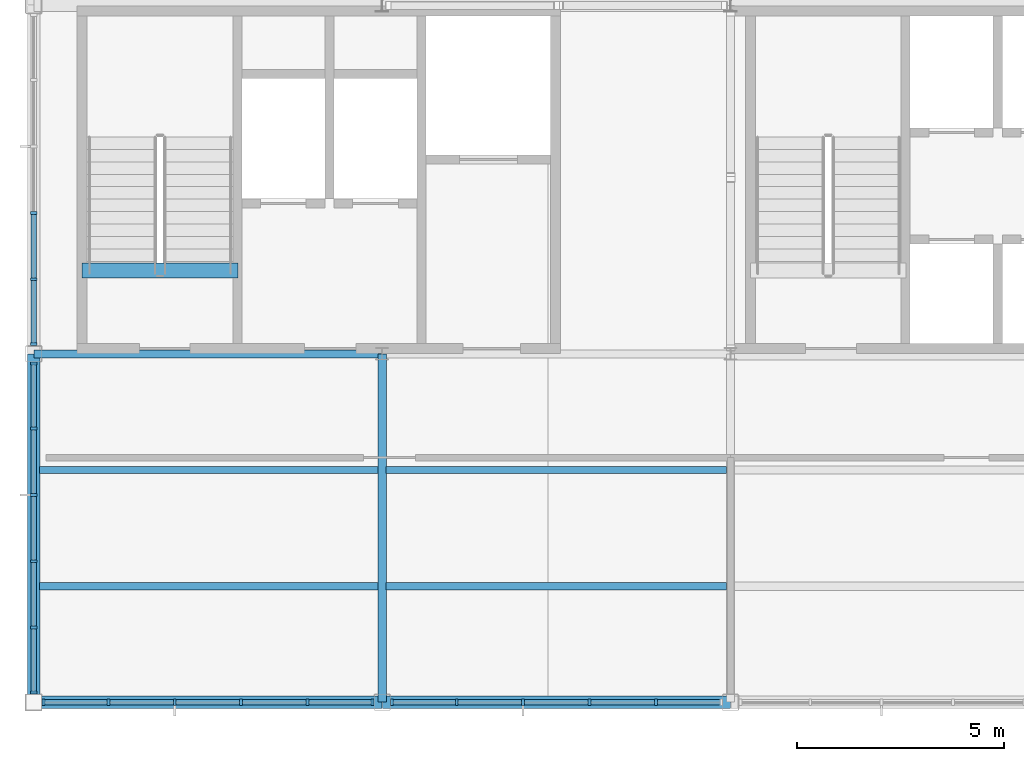
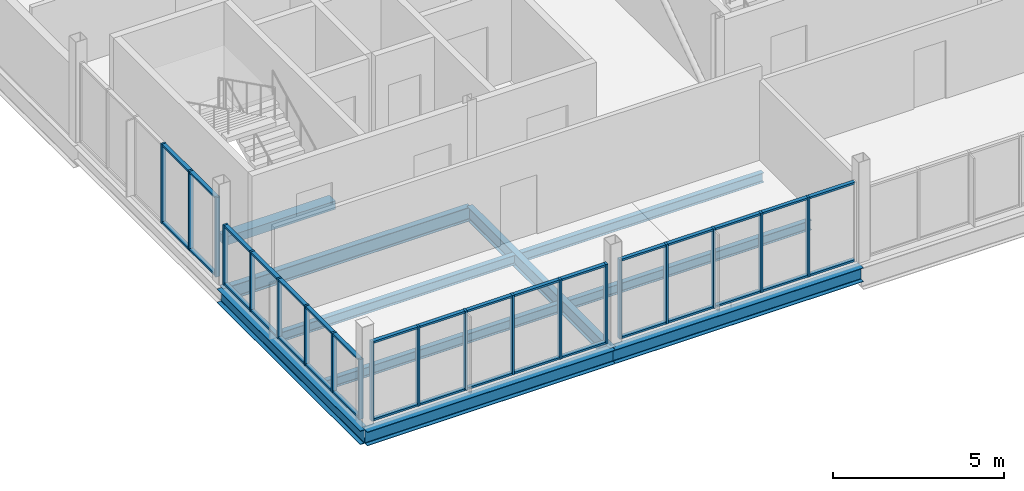
# One storey, part 4 of 15: 54 members, 10 beams, 4 elements without a shape of their own.
"""IFC4 building model written with IfcOpenShell, lengths in metres."""

from ifc_helpers import new_model, si_unit, direction, frame, origin, origin_2d, place, context, subcontext, project, spatial, rectangle, i_section, extrude, material, layer, layer_set, material_profile, profile_set, type_object, element, aggregate, save


model = new_model("IFC4")

# Units and contexts
model_context = context("Model", 3, precision=1e-05, world=origin(), true_north=direction((0.0, 1.0)))
body_context = subcontext(model_context, "Body", "Model", "MODEL_VIEW")
ifc_project = project(units=[si_unit("LENGTHUNIT", "METRE"), si_unit("AREAUNIT", "SQUARE_METRE"), si_unit("VOLUMEUNIT", "CUBIC_METRE"), si_unit("PLANEANGLEUNIT", "RADIAN"), si_unit("MASSUNIT", "GRAM", prefix="KILO")], contexts=[model_context])

# Site, building, storey
site_placement = place(None, origin())
site = spatial("IfcSite", under=ifc_project, at=site_placement, CompositionType="ELEMENT")
building_placement = place(site_placement, origin())
building = spatial("IfcBuilding", under=site, at=building_placement, Name="Yukiwa Park Conservatory and Herbarium", CompositionType="ELEMENT")
storey_placement = place(building_placement, frame((0.0, 0.0, 54.0)))
storey = spatial("IfcBuildingStorey", under=building, at=storey_placement, Name="L14", CompositionType="ELEMENT", Elevation=54.0)

# Beams
ifc_material_1 = material(Name="Steel Q355D", Category="steel")
ifc_material_profile_1 = material_profile(ifc_material_1, i_section(OverallWidth=0.198974609375, OverallDepth=0.49609375, WebThickness=0.009033203125, FlangeThickness=0.013916015625, FilletRadius=0.02001953125, at=origin_2d()), Name="HN 496x199x9x14")
ifc_profile_set_1 = profile_set([ifc_material_profile_1], Name="Steel Q355D")
beam_type_1 = type_object("IfcBeamType", Name="BM-GRD-HN496", PredefinedType="BEAM", material=ifc_profile_set_1)
beam_1_placement = place(storey_placement, frame((133.2060546875, 94.800048828125, -0.501953125), z_axis=(1.0, 0.0, 0.0), x_axis=(0.0, 1.0, 0.0)))
element("IfcBeam", 1, at=beam_1_placement, inside=storey, type_object=beam_type_1, Name="L14 grid beam X-5", PredefinedType="BEAM", context=body_context, shape_type="SweptSolid", body=[
    extrude(i_section(OverallWidth=0.198974609375, OverallDepth=0.49609375, WebThickness=0.009033203125, FlangeThickness=0.013916015625, FilletRadius=0.02001953125, at=origin_2d()), origin(), (0.0, 0.0, 1.0), 8.387939453125),
])
ifc_material_2 = material(Name="Steel Q355D", Category="steel")
ifc_material_profile_2 = material_profile(ifc_material_2, i_section(OverallWidth=0.199951171875, OverallDepth=0.5, WebThickness=0.010009765625, FlangeThickness=0.01611328125, FilletRadius=0.02001953125, at=origin_2d()), Name="HN 500x200x10x16")
ifc_profile_set_2 = profile_set([ifc_material_profile_2], Name="Steel Q355D")
beam_type_2 = type_object("IfcBeamType", Name="BM-GRD-HN500", PredefinedType="BEAM", material=ifc_profile_set_2)
beam_2_placement = place(storey_placement, frame((141.60009765625, 86.406005859375, -0.50390625), z_axis=(0.0, 1.0, 0.0), x_axis=(-1.0, 0.0, 0.0)))
element("IfcBeam", 2, at=beam_2_placement, inside=storey, type_object=beam_type_2, Name="L14 grid girder Y-20", PredefinedType="BEAM", context=body_context, shape_type="SweptSolid", body=[
    extrude(i_section(OverallWidth=0.199951171875, OverallDepth=0.5, WebThickness=0.010009765625, FlangeThickness=0.01611328125, FilletRadius=0.02001953125, at=origin_2d()), origin(), (0.0, 0.0, 1.0), 8.387939453125),
])
ifc_material_3 = material(Name="Steel Q355D", Category="steel")
ifc_material_profile_3 = material_profile(ifc_material_3, i_section(OverallWidth=0.174072265625, OverallDepth=0.345947265625, WebThickness=0.006103515625, FlangeThickness=0.009033203125, FilletRadius=0.013916015625, at=origin_2d()), Name="HN 346x174x6x9")
ifc_profile_set_3 = profile_set([ifc_material_profile_3], Name="Steel Q355D")
beam_type_3 = type_object("IfcBeamType", Name="BM-JST-HN346", PredefinedType="JOIST", material=ifc_profile_set_3)
for number, where, z_axis, x_axis, name in (
    (3, (133.345947265625, 89.199951171875, -0.427001953125), (1.0, 0.0, 0.0), (0.0, 1.0, 0.0), "L14 composite floor joist 1"),
    (4, (133.345947265625, 92.0, -0.427001953125), (1.0, 0.0, 0.0), (0.0, 1.0, 0.0), "L14 composite floor joist 2"),
):
    element("IfcBeam", number, at=place(storey_placement, frame(where, z_axis=z_axis, x_axis=x_axis)), inside=storey, type_object=beam_type_3, Name=name, PredefinedType="JOIST", context=body_context, shape_type="SweptSolid", body=[
        extrude(i_section(OverallWidth=0.174072265625, OverallDepth=0.345947265625, WebThickness=0.006103515625, FlangeThickness=0.009033203125, FilletRadius=0.013916015625, at=origin_2d()), origin(), (0.0, 0.0, 1.0), 8.157958984375),
    ])
for number, where, z_axis, x_axis, name in (
    (5, (141.696044921875, 89.199951171875, -0.427001953125), (1.0, 0.0, 0.0), (0.0, 1.0, 0.0), "L14 composite floor joist 5"),
    (6, (141.696044921875, 92.0, -0.427001953125), (1.0, 0.0, 0.0), (0.0, 1.0, 0.0), "L14 composite floor joist 6"),
):
    element("IfcBeam", number, at=place(storey_placement, frame(where, z_axis=z_axis, x_axis=x_axis)), inside=storey, type_object=beam_type_3, Name=name, PredefinedType="JOIST", context=body_context, shape_type="SweptSolid", body=[
        extrude(i_section(OverallWidth=0.174072265625, OverallDepth=0.345947265625, WebThickness=0.006103515625, FlangeThickness=0.009033203125, FilletRadius=0.013916015625, at=origin_2d()), origin(), (0.0, 0.0, 1.0), 8.2080078125),
    ])
ifc_material_4 = material(Name="Steel Q355D", Category="steel")
ifc_material_profile_4 = material_profile(ifc_material_4, i_section(OverallWidth=0.300048828125, OverallDepth=0.5, WebThickness=0.010986328125, FlangeThickness=0.01806640625, FilletRadius=0.02392578125, at=origin_2d()), Name="HM 500x300x11x18")
ifc_profile_set_4 = profile_set([ifc_material_profile_4], Name="Steel Q355D")
beam_type_4 = type_object("IfcBeamType", Name="BM-SPN-HN500", PredefinedType="SPANDREL", material=ifc_profile_set_4)
for number, where, z_axis, x_axis, name in (
    (7, (133.2060546875, 86.39990234375, -0.50390625), (1.0, 0.0, 0.0), (0.0, 1.0, 0.0), "L14 spandrel beam X-1"),
    (8, (141.60595703125, 86.39990234375, -0.50390625), (1.0, 0.0, 0.0), (0.0, 1.0, 0.0), "L14 spandrel beam X-2"),
    (9, (133.199951171875, 86.406005859375, -0.50390625), (0.0, 1.0, 0.0), (-1.0, 0.0, 0.0), "L14 spandrel girder Y-17"),
):
    element("IfcBeam", number, at=place(storey_placement, frame(where, z_axis=z_axis, x_axis=x_axis)), inside=storey, type_object=beam_type_4, Name=name, PredefinedType="SPANDREL", context=body_context, shape_type="SweptSolid", body=[
        extrude(i_section(OverallWidth=0.300048828125, OverallDepth=0.5, WebThickness=0.010986328125, FlangeThickness=0.01806640625, FilletRadius=0.02392578125, at=origin_2d()), origin(), (0.0, 0.0, 1.0), 8.387939453125),
    ])
ifc_material_5 = material(Name="Concrete C40", Category="concrete")
ifc_material_profile_5 = material_profile(ifc_material_5, rectangle(XDim=0.35009765625, YDim=0.300048828125, at=origin_2d()), Name="RC 350x300")
ifc_profile_set_5 = profile_set([ifc_material_profile_5], Name="Concrete C40")
beam_type_5 = type_object("IfcBeamType", Name="BM-STAIR-TRIM", PredefinedType="BEAM", material=ifc_profile_set_5)
beam_3_placement = place(storey_placement, frame((134.3701171875, 96.81005859375, -0.14990234375), z_axis=(1.0, 0.0, 0.0), x_axis=(0.0, 1.0, 0.0)))
element("IfcBeam", 10, at=beam_3_placement, inside=storey, type_object=beam_type_5, Name="Stair ST-T1 L14 landing trimmer beam", PredefinedType="BEAM", context=body_context, shape_type="SweptSolid", body=[
    extrude(rectangle(XDim=0.35009765625, YDim=0.300048828125, at=origin_2d()), origin(), (0.0, 0.0, 1.0), 3.75),
])

# Curtain wall, members
ifc_material_6 = material(Name="Triple Low-E Insulated Glass", Category="glass")
ifc_layer = layer(ifc_material_6, 0.27197265625)
ifc_layer_set = layer_set([ifc_layer], Name="Triple Low-E Insulated Glass")
curtain_wall_type = type_object("IfcCurtainWallType", Name="CW-TOWER-LIB-1600", PredefinedType="NOTDEFINED", material=ifc_layer_set)
curtain_wall_1_placement = place(storey_placement, origin())
curtain_wall_1 = element("IfcCurtainWall", 11, at=curtain_wall_1_placement, inside=storey, type_object=curtain_wall_type, Name="L14 unitised curtain wall CW-L14-135", PredefinedType="NOTDEFINED")
ifc_material_7 = material(Name="Anodised Aluminium", Category="aluminium")
member_type_1 = type_object("IfcMemberType", Name="MB-CW-MUL-70X150", PredefinedType="MULLION", material=ifc_material_7)
member_1_placement = place(storey_placement, frame((133.199951171875, 98.199951171875, 0.0), z_axis=(0.0, 0.0, 1.0), x_axis=(0.0, -1.0, 0.0)))
member_1 = element("IfcMember", 12, at=member_1_placement, type_object=member_type_1, Name="CW-L14-135 mullion 4", PredefinedType="MULLION", context=body_context, shape_type="SweptSolid", body=[
    extrude(rectangle(XDim=0.070068359375, YDim=0.14990234375, at=origin_2d()), origin(), (0.0, 0.0, 1.0), 2.843994140625),
])
member_2_placement = place(storey_placement, frame((133.199951171875, 96.60009765625, 0.0), z_axis=(0.0, 0.0, 1.0), x_axis=(0.0, -1.0, 0.0)))
member_2 = element("IfcMember", 13, at=member_2_placement, type_object=member_type_1, Name="CW-L14-135 mullion 5", PredefinedType="MULLION", context=body_context, shape_type="SweptSolid", body=[
    extrude(rectangle(XDim=0.070068359375, YDim=0.14990234375, at=origin_2d()), origin(), (0.0, 0.0, 1.0), 2.843994140625),
])
member_3_placement = place(storey_placement, frame((133.199951171875, 95.034912109375, 0.0), z_axis=(0.0, 0.0, 1.0), x_axis=(0.0, -1.0, 0.0)))
member_3 = element("IfcMember", 14, at=member_3_placement, type_object=member_type_1, Name="CW-L14-135 mullion 6", PredefinedType="MULLION", context=body_context, shape_type="SweptSolid", body=[
    extrude(rectangle(XDim=0.070068359375, YDim=0.14990234375, at=origin_2d()), origin(), (0.0, 0.0, 1.0), 2.843994140625),
])

curtain_wall_2_placement = place(storey_placement, origin())
curtain_wall_2 = element("IfcCurtainWall", 15, at=curtain_wall_2_placement, inside=storey, type_object=curtain_wall_type, Name="L14 unitised curtain wall CW-L14-136", PredefinedType="NOTDEFINED")
member_4_placement = place(storey_placement, frame((133.199951171875, 94.56494140625, 0.0), z_axis=(0.0, 0.0, 1.0), x_axis=(0.0, -1.0, 0.0)))
member_4 = element("IfcMember", 16, at=member_4_placement, type_object=member_type_1, Name="CW-L14-136 mullion 1", PredefinedType="MULLION", context=body_context, shape_type="SweptSolid", body=[
    extrude(rectangle(XDim=0.070068359375, YDim=0.14990234375, at=origin_2d()), origin(), (0.0, 0.0, 1.0), 2.14404296875),
])
member_5_placement = place(storey_placement, frame((133.199951171875, 93.0, 0.0), z_axis=(0.0, 0.0, 1.0), x_axis=(0.0, -1.0, 0.0)))
member_5 = element("IfcMember", 17, at=member_5_placement, type_object=member_type_1, Name="CW-L14-136 mullion 2", PredefinedType="MULLION", context=body_context, shape_type="SweptSolid", body=[
    extrude(rectangle(XDim=0.070068359375, YDim=0.14990234375, at=origin_2d()), origin(), (0.0, 0.0, 1.0), 2.14404296875),
])
member_6_placement = place(storey_placement, frame((133.199951171875, 91.39990234375, 0.0), z_axis=(0.0, 0.0, 1.0), x_axis=(0.0, -1.0, 0.0)))
member_6 = element("IfcMember", 18, at=member_6_placement, type_object=member_type_1, Name="CW-L14-136 mullion 3", PredefinedType="MULLION", context=body_context, shape_type="SweptSolid", body=[
    extrude(rectangle(XDim=0.070068359375, YDim=0.14990234375, at=origin_2d()), origin(), (0.0, 0.0, 1.0), 2.14404296875),
])
member_7_placement = place(storey_placement, frame((133.199951171875, 89.800048828125, 0.0), z_axis=(0.0, 0.0, 1.0), x_axis=(0.0, -1.0, 0.0)))
member_7 = element("IfcMember", 19, at=member_7_placement, type_object=member_type_1, Name="CW-L14-136 mullion 4", PredefinedType="MULLION", context=body_context, shape_type="SweptSolid", body=[
    extrude(rectangle(XDim=0.070068359375, YDim=0.14990234375, at=origin_2d()), origin(), (0.0, 0.0, 1.0), 2.14404296875),
])
member_8_placement = place(storey_placement, frame((133.199951171875, 88.199951171875, 0.0), z_axis=(0.0, 0.0, 1.0), x_axis=(0.0, -1.0, 0.0)))
member_8 = element("IfcMember", 20, at=member_8_placement, type_object=member_type_1, Name="CW-L14-136 mullion 5", PredefinedType="MULLION", context=body_context, shape_type="SweptSolid", body=[
    extrude(rectangle(XDim=0.070068359375, YDim=0.14990234375, at=origin_2d()), origin(), (0.0, 0.0, 1.0), 2.14404296875),
])
member_9_placement = place(storey_placement, frame((133.199951171875, 86.635009765625, 0.0), z_axis=(0.0, 0.0, 1.0), x_axis=(0.0, -1.0, 0.0)))
member_9 = element("IfcMember", 21, at=member_9_placement, type_object=member_type_1, Name="CW-L14-136 mullion 6", PredefinedType="MULLION", context=body_context, shape_type="SweptSolid", body=[
    extrude(rectangle(XDim=0.070068359375, YDim=0.14990234375, at=origin_2d()), origin(), (0.0, 0.0, 1.0), 2.14404296875),
])

curtain_wall_3_placement = place(storey_placement, origin())
curtain_wall_3 = element("IfcCurtainWall", 22, at=curtain_wall_3_placement, inside=storey, type_object=curtain_wall_type, Name="L14 unitised curtain wall CW-L14-137", PredefinedType="NOTDEFINED")
member_10_placement = place(storey_placement, frame((133.43505859375, 86.39990234375, 0.0), z_axis=(0.0, 0.0, 1.0), x_axis=(1.0, 0.0, 0.0)))
member_10 = element("IfcMember", 23, at=member_10_placement, type_object=member_type_1, Name="CW-L14-137 mullion 1", PredefinedType="MULLION", context=body_context, shape_type="SweptSolid", body=[
    extrude(rectangle(XDim=0.070068359375, YDim=0.14990234375, at=origin_2d()), origin(), (0.0, 0.0, 1.0), 2.843994140625),
])
member_11_placement = place(storey_placement, frame((135.0, 86.39990234375, 0.0), z_axis=(0.0, 0.0, 1.0), x_axis=(1.0, 0.0, 0.0)))
member_11 = element("IfcMember", 24, at=member_11_placement, type_object=member_type_1, Name="CW-L14-137 mullion 2", PredefinedType="MULLION", context=body_context, shape_type="SweptSolid", body=[
    extrude(rectangle(XDim=0.070068359375, YDim=0.14990234375, at=origin_2d()), origin(), (0.0, 0.0, 1.0), 2.843994140625),
])
member_12_placement = place(storey_placement, frame((136.60009765625, 86.39990234375, 0.0), z_axis=(0.0, 0.0, 1.0), x_axis=(1.0, 0.0, 0.0)))
member_12 = element("IfcMember", 25, at=member_12_placement, type_object=member_type_1, Name="CW-L14-137 mullion 3", PredefinedType="MULLION", context=body_context, shape_type="SweptSolid", body=[
    extrude(rectangle(XDim=0.070068359375, YDim=0.14990234375, at=origin_2d()), origin(), (0.0, 0.0, 1.0), 2.843994140625),
])
member_13_placement = place(storey_placement, frame((138.199951171875, 86.39990234375, 0.0), z_axis=(0.0, 0.0, 1.0), x_axis=(1.0, 0.0, 0.0)))
member_13 = element("IfcMember", 26, at=member_13_placement, type_object=member_type_1, Name="CW-L14-137 mullion 4", PredefinedType="MULLION", context=body_context, shape_type="SweptSolid", body=[
    extrude(rectangle(XDim=0.070068359375, YDim=0.14990234375, at=origin_2d()), origin(), (0.0, 0.0, 1.0), 2.843994140625),
])
member_14_placement = place(storey_placement, frame((139.800048828125, 86.39990234375, 0.0), z_axis=(0.0, 0.0, 1.0), x_axis=(1.0, 0.0, 0.0)))
member_14 = element("IfcMember", 27, at=member_14_placement, type_object=member_type_1, Name="CW-L14-137 mullion 5", PredefinedType="MULLION", context=body_context, shape_type="SweptSolid", body=[
    extrude(rectangle(XDim=0.070068359375, YDim=0.14990234375, at=origin_2d()), origin(), (0.0, 0.0, 1.0), 2.843994140625),
])
member_15_placement = place(storey_placement, frame((141.364990234375, 86.39990234375, 0.0), z_axis=(0.0, 0.0, 1.0), x_axis=(1.0, 0.0, 0.0)))
member_15 = element("IfcMember", 28, at=member_15_placement, type_object=member_type_1, Name="CW-L14-137 mullion 6", PredefinedType="MULLION", context=body_context, shape_type="SweptSolid", body=[
    extrude(rectangle(XDim=0.070068359375, YDim=0.14990234375, at=origin_2d()), origin(), (0.0, 0.0, 1.0), 2.843994140625),
])

curtain_wall_4_placement = place(storey_placement, origin())
curtain_wall_4 = element("IfcCurtainWall", 29, at=curtain_wall_4_placement, inside=storey, type_object=curtain_wall_type, Name="L14 unitised curtain wall CW-L14-138", PredefinedType="NOTDEFINED")
member_16_placement = place(storey_placement, frame((141.8349609375, 86.39990234375, 0.0), z_axis=(0.0, 0.0, 1.0), x_axis=(1.0, 0.0, 0.0)))
member_16 = element("IfcMember", 30, at=member_16_placement, type_object=member_type_1, Name="CW-L14-138 mullion 1", PredefinedType="MULLION", context=body_context, shape_type="SweptSolid", body=[
    extrude(rectangle(XDim=0.070068359375, YDim=0.14990234375, at=origin_2d()), origin(), (0.0, 0.0, 1.0), 2.843994140625),
])
member_17_placement = place(storey_placement, frame((143.39990234375, 86.39990234375, 0.0), z_axis=(0.0, 0.0, 1.0), x_axis=(1.0, 0.0, 0.0)))
member_17 = element("IfcMember", 31, at=member_17_placement, type_object=member_type_1, Name="CW-L14-138 mullion 2", PredefinedType="MULLION", context=body_context, shape_type="SweptSolid", body=[
    extrude(rectangle(XDim=0.070068359375, YDim=0.14990234375, at=origin_2d()), origin(), (0.0, 0.0, 1.0), 2.843994140625),
])
member_18_placement = place(storey_placement, frame((145.0, 86.39990234375, 0.0), z_axis=(0.0, 0.0, 1.0), x_axis=(1.0, 0.0, 0.0)))
member_18 = element("IfcMember", 32, at=member_18_placement, type_object=member_type_1, Name="CW-L14-138 mullion 3", PredefinedType="MULLION", context=body_context, shape_type="SweptSolid", body=[
    extrude(rectangle(XDim=0.070068359375, YDim=0.14990234375, at=origin_2d()), origin(), (0.0, 0.0, 1.0), 2.843994140625),
])
member_19_placement = place(storey_placement, frame((146.60009765625, 86.39990234375, 0.0), z_axis=(0.0, 0.0, 1.0), x_axis=(1.0, 0.0, 0.0)))
member_19 = element("IfcMember", 33, at=member_19_placement, type_object=member_type_1, Name="CW-L14-138 mullion 4", PredefinedType="MULLION", context=body_context, shape_type="SweptSolid", body=[
    extrude(rectangle(XDim=0.070068359375, YDim=0.14990234375, at=origin_2d()), origin(), (0.0, 0.0, 1.0), 2.843994140625),
])
member_20_placement = place(storey_placement, frame((148.199951171875, 86.39990234375, 0.0), z_axis=(0.0, 0.0, 1.0), x_axis=(1.0, 0.0, 0.0)))
member_20 = element("IfcMember", 34, at=member_20_placement, type_object=member_type_1, Name="CW-L14-138 mullion 5", PredefinedType="MULLION", context=body_context, shape_type="SweptSolid", body=[
    extrude(rectangle(XDim=0.070068359375, YDim=0.14990234375, at=origin_2d()), origin(), (0.0, 0.0, 1.0), 2.843994140625),
])

# Member
ifc_material_8 = material(Name="Anodised Aluminium", Category="aluminium")
member_type_2 = type_object("IfcMemberType", Name="MB-CW-TRN-70X130", PredefinedType="USERDEFINED", material=ifc_material_8)
member_21_placement = place(storey_placement, frame((133.199951171875, 97.39990234375, 0.0), z_axis=(0.0, 0.0, 1.0), x_axis=(0.0, -1.0, 0.0)))
member_21 = element("IfcMember", 35, at=member_21_placement, type_object=member_type_2, Name="CW-L14-135 transom 4.1", ObjectType="TRANSOM", PredefinedType="USERDEFINED", context=body_context, shape_type="SweptSolid", body=[
    extrude(rectangle(XDim=1.530029296875, YDim=0.1298828125, at=origin_2d()), origin(), (0.0, 0.0, 1.0), 0.070068359375),
])

member_22_placement = place(storey_placement, frame((133.199951171875, 97.39990234375, 2.77392578125), z_axis=(0.0, 0.0, 1.0), x_axis=(0.0, -1.0, 0.0)))
member_22 = element("IfcMember", 36, at=member_22_placement, type_object=member_type_2, Name="CW-L14-135 transom 4.2", ObjectType="TRANSOM", PredefinedType="USERDEFINED", context=body_context, shape_type="SweptSolid", body=[
    extrude(rectangle(XDim=1.530029296875, YDim=0.1298828125, at=origin_2d()), origin(), (0.0, 0.0, 1.0), 0.070068359375),
])

member_23_placement = place(storey_placement, frame((133.199951171875, 95.800048828125, 0.0), z_axis=(0.0, 0.0, 1.0), x_axis=(0.0, -1.0, 0.0)))
member_23 = element("IfcMember", 37, at=member_23_placement, type_object=member_type_2, Name="CW-L14-135 transom 5.1", ObjectType="TRANSOM", PredefinedType="USERDEFINED", context=body_context, shape_type="SweptSolid", body=[
    extrude(rectangle(XDim=1.530029296875, YDim=0.1298828125, at=origin_2d()), origin(), (0.0, 0.0, 1.0), 0.070068359375),
])

member_24_placement = place(storey_placement, frame((133.199951171875, 95.800048828125, 2.77392578125), z_axis=(0.0, 0.0, 1.0), x_axis=(0.0, -1.0, 0.0)))
member_24 = element("IfcMember", 38, at=member_24_placement, type_object=member_type_2, Name="CW-L14-135 transom 5.2", ObjectType="TRANSOM", PredefinedType="USERDEFINED", context=body_context, shape_type="SweptSolid", body=[
    extrude(rectangle(XDim=1.530029296875, YDim=0.1298828125, at=origin_2d()), origin(), (0.0, 0.0, 1.0), 0.070068359375),
])

aggregate(curtain_wall_1, [member_1, member_2, member_3, member_21, member_22, member_23, member_24])

member_25_placement = place(storey_placement, frame((133.199951171875, 93.800048828125, 0.0), z_axis=(0.0, 0.0, 1.0), x_axis=(0.0, -1.0, 0.0)))
member_25 = element("IfcMember", 39, at=member_25_placement, type_object=member_type_2, Name="CW-L14-136 transom 1.1", ObjectType="TRANSOM", PredefinedType="USERDEFINED", context=body_context, shape_type="SweptSolid", body=[
    extrude(rectangle(XDim=1.530029296875, YDim=0.1298828125, at=origin_2d()), origin(), (0.0, 0.0, 1.0), 0.070068359375),
])

member_26_placement = place(storey_placement, frame((133.199951171875, 93.800048828125, 2.07373046875), z_axis=(0.0, 0.0, 1.0), x_axis=(0.0, -1.0, 0.0)))
member_26 = element("IfcMember", 40, at=member_26_placement, type_object=member_type_2, Name="CW-L14-136 transom 1.2", ObjectType="TRANSOM", PredefinedType="USERDEFINED", context=body_context, shape_type="SweptSolid", body=[
    extrude(rectangle(XDim=1.530029296875, YDim=0.1298828125, at=origin_2d()), origin(), (0.0, 0.0, 1.0), 0.070068359375),
])

member_27_placement = place(storey_placement, frame((133.199951171875, 92.199951171875, 0.0), z_axis=(0.0, 0.0, 1.0), x_axis=(0.0, -1.0, 0.0)))
member_27 = element("IfcMember", 41, at=member_27_placement, type_object=member_type_2, Name="CW-L14-136 transom 2.1", ObjectType="TRANSOM", PredefinedType="USERDEFINED", context=body_context, shape_type="SweptSolid", body=[
    extrude(rectangle(XDim=1.530029296875, YDim=0.1298828125, at=origin_2d()), origin(), (0.0, 0.0, 1.0), 0.070068359375),
])

member_28_placement = place(storey_placement, frame((133.199951171875, 92.199951171875, 2.07373046875), z_axis=(0.0, 0.0, 1.0), x_axis=(0.0, -1.0, 0.0)))
member_28 = element("IfcMember", 42, at=member_28_placement, type_object=member_type_2, Name="CW-L14-136 transom 2.2", ObjectType="TRANSOM", PredefinedType="USERDEFINED", context=body_context, shape_type="SweptSolid", body=[
    extrude(rectangle(XDim=1.530029296875, YDim=0.1298828125, at=origin_2d()), origin(), (0.0, 0.0, 1.0), 0.070068359375),
])

member_29_placement = place(storey_placement, frame((133.199951171875, 90.60009765625, 0.0), z_axis=(0.0, 0.0, 1.0), x_axis=(0.0, -1.0, 0.0)))
member_29 = element("IfcMember", 43, at=member_29_placement, type_object=member_type_2, Name="CW-L14-136 transom 3.1", ObjectType="TRANSOM", PredefinedType="USERDEFINED", context=body_context, shape_type="SweptSolid", body=[
    extrude(rectangle(XDim=1.530029296875, YDim=0.1298828125, at=origin_2d()), origin(), (0.0, 0.0, 1.0), 0.070068359375),
])

member_30_placement = place(storey_placement, frame((133.199951171875, 90.60009765625, 2.07373046875), z_axis=(0.0, 0.0, 1.0), x_axis=(0.0, -1.0, 0.0)))
member_30 = element("IfcMember", 44, at=member_30_placement, type_object=member_type_2, Name="CW-L14-136 transom 3.2", ObjectType="TRANSOM", PredefinedType="USERDEFINED", context=body_context, shape_type="SweptSolid", body=[
    extrude(rectangle(XDim=1.530029296875, YDim=0.1298828125, at=origin_2d()), origin(), (0.0, 0.0, 1.0), 0.070068359375),
])

member_31_placement = place(storey_placement, frame((133.199951171875, 89.0, 0.0), z_axis=(0.0, 0.0, 1.0), x_axis=(0.0, -1.0, 0.0)))
member_31 = element("IfcMember", 45, at=member_31_placement, type_object=member_type_2, Name="CW-L14-136 transom 4.1", ObjectType="TRANSOM", PredefinedType="USERDEFINED", context=body_context, shape_type="SweptSolid", body=[
    extrude(rectangle(XDim=1.530029296875, YDim=0.1298828125, at=origin_2d()), origin(), (0.0, 0.0, 1.0), 0.070068359375),
])

member_32_placement = place(storey_placement, frame((133.199951171875, 89.0, 2.07373046875), z_axis=(0.0, 0.0, 1.0), x_axis=(0.0, -1.0, 0.0)))
member_32 = element("IfcMember", 46, at=member_32_placement, type_object=member_type_2, Name="CW-L14-136 transom 4.2", ObjectType="TRANSOM", PredefinedType="USERDEFINED", context=body_context, shape_type="SweptSolid", body=[
    extrude(rectangle(XDim=1.530029296875, YDim=0.1298828125, at=origin_2d()), origin(), (0.0, 0.0, 1.0), 0.070068359375),
])

member_33_placement = place(storey_placement, frame((133.199951171875, 87.39990234375, 0.0), z_axis=(0.0, 0.0, 1.0), x_axis=(0.0, -1.0, 0.0)))
member_33 = element("IfcMember", 47, at=member_33_placement, type_object=member_type_2, Name="CW-L14-136 transom 5.1", ObjectType="TRANSOM", PredefinedType="USERDEFINED", context=body_context, shape_type="SweptSolid", body=[
    extrude(rectangle(XDim=1.530029296875, YDim=0.1298828125, at=origin_2d()), origin(), (0.0, 0.0, 1.0), 0.070068359375),
])

member_34_placement = place(storey_placement, frame((133.199951171875, 87.39990234375, 2.07373046875), z_axis=(0.0, 0.0, 1.0), x_axis=(0.0, -1.0, 0.0)))
member_34 = element("IfcMember", 48, at=member_34_placement, type_object=member_type_2, Name="CW-L14-136 transom 5.2", ObjectType="TRANSOM", PredefinedType="USERDEFINED", context=body_context, shape_type="SweptSolid", body=[
    extrude(rectangle(XDim=1.530029296875, YDim=0.1298828125, at=origin_2d()), origin(), (0.0, 0.0, 1.0), 0.070068359375),
])

aggregate(curtain_wall_2, [member_4, member_5, member_6, member_7, member_8, member_9, member_25, member_26, member_27, member_28, member_29, member_30, member_31, member_32, member_33, member_34])

member_35_placement = place(storey_placement, frame((134.199951171875, 86.39990234375, 0.0), z_axis=(0.0, 0.0, 1.0), x_axis=(1.0, 0.0, 0.0)))
member_35 = element("IfcMember", 49, at=member_35_placement, type_object=member_type_2, Name="CW-L14-137 transom 1.1", ObjectType="TRANSOM", PredefinedType="USERDEFINED", context=body_context, shape_type="SweptSolid", body=[
    extrude(rectangle(XDim=1.530029296875, YDim=0.1298828125, at=origin_2d()), origin(), (0.0, 0.0, 1.0), 0.070068359375),
])

member_36_placement = place(storey_placement, frame((134.199951171875, 86.39990234375, 2.77392578125), z_axis=(0.0, 0.0, 1.0), x_axis=(1.0, 0.0, 0.0)))
member_36 = element("IfcMember", 50, at=member_36_placement, type_object=member_type_2, Name="CW-L14-137 transom 1.2", ObjectType="TRANSOM", PredefinedType="USERDEFINED", context=body_context, shape_type="SweptSolid", body=[
    extrude(rectangle(XDim=1.530029296875, YDim=0.1298828125, at=origin_2d()), origin(), (0.0, 0.0, 1.0), 0.070068359375),
])

member_37_placement = place(storey_placement, frame((135.800048828125, 86.39990234375, 0.0), z_axis=(0.0, 0.0, 1.0), x_axis=(1.0, 0.0, 0.0)))
member_37 = element("IfcMember", 51, at=member_37_placement, type_object=member_type_2, Name="CW-L14-137 transom 2.1", ObjectType="TRANSOM", PredefinedType="USERDEFINED", context=body_context, shape_type="SweptSolid", body=[
    extrude(rectangle(XDim=1.530029296875, YDim=0.1298828125, at=origin_2d()), origin(), (0.0, 0.0, 1.0), 0.070068359375),
])

member_38_placement = place(storey_placement, frame((135.800048828125, 86.39990234375, 2.77392578125), z_axis=(0.0, 0.0, 1.0), x_axis=(1.0, 0.0, 0.0)))
member_38 = element("IfcMember", 52, at=member_38_placement, type_object=member_type_2, Name="CW-L14-137 transom 2.2", ObjectType="TRANSOM", PredefinedType="USERDEFINED", context=body_context, shape_type="SweptSolid", body=[
    extrude(rectangle(XDim=1.530029296875, YDim=0.1298828125, at=origin_2d()), origin(), (0.0, 0.0, 1.0), 0.070068359375),
])

member_39_placement = place(storey_placement, frame((137.39990234375, 86.39990234375, 0.0), z_axis=(0.0, 0.0, 1.0), x_axis=(1.0, 0.0, 0.0)))
member_39 = element("IfcMember", 53, at=member_39_placement, type_object=member_type_2, Name="CW-L14-137 transom 3.1", ObjectType="TRANSOM", PredefinedType="USERDEFINED", context=body_context, shape_type="SweptSolid", body=[
    extrude(rectangle(XDim=1.530029296875, YDim=0.1298828125, at=origin_2d()), origin(), (0.0, 0.0, 1.0), 0.070068359375),
])

member_40_placement = place(storey_placement, frame((137.39990234375, 86.39990234375, 2.77392578125), z_axis=(0.0, 0.0, 1.0), x_axis=(1.0, 0.0, 0.0)))
member_40 = element("IfcMember", 54, at=member_40_placement, type_object=member_type_2, Name="CW-L14-137 transom 3.2", ObjectType="TRANSOM", PredefinedType="USERDEFINED", context=body_context, shape_type="SweptSolid", body=[
    extrude(rectangle(XDim=1.530029296875, YDim=0.1298828125, at=origin_2d()), origin(), (0.0, 0.0, 1.0), 0.070068359375),
])

member_41_placement = place(storey_placement, frame((139.0, 86.39990234375, 0.0), z_axis=(0.0, 0.0, 1.0), x_axis=(1.0, 0.0, 0.0)))
member_41 = element("IfcMember", 55, at=member_41_placement, type_object=member_type_2, Name="CW-L14-137 transom 4.1", ObjectType="TRANSOM", PredefinedType="USERDEFINED", context=body_context, shape_type="SweptSolid", body=[
    extrude(rectangle(XDim=1.530029296875, YDim=0.1298828125, at=origin_2d()), origin(), (0.0, 0.0, 1.0), 0.070068359375),
])

member_42_placement = place(storey_placement, frame((139.0, 86.39990234375, 2.77392578125), z_axis=(0.0, 0.0, 1.0), x_axis=(1.0, 0.0, 0.0)))
member_42 = element("IfcMember", 56, at=member_42_placement, type_object=member_type_2, Name="CW-L14-137 transom 4.2", ObjectType="TRANSOM", PredefinedType="USERDEFINED", context=body_context, shape_type="SweptSolid", body=[
    extrude(rectangle(XDim=1.530029296875, YDim=0.1298828125, at=origin_2d()), origin(), (0.0, 0.0, 1.0), 0.070068359375),
])

member_43_placement = place(storey_placement, frame((140.60009765625, 86.39990234375, 0.0), z_axis=(0.0, 0.0, 1.0), x_axis=(1.0, 0.0, 0.0)))
member_43 = element("IfcMember", 57, at=member_43_placement, type_object=member_type_2, Name="CW-L14-137 transom 5.1", ObjectType="TRANSOM", PredefinedType="USERDEFINED", context=body_context, shape_type="SweptSolid", body=[
    extrude(rectangle(XDim=1.530029296875, YDim=0.1298828125, at=origin_2d()), origin(), (0.0, 0.0, 1.0), 0.070068359375),
])

member_44_placement = place(storey_placement, frame((140.60009765625, 86.39990234375, 2.77392578125), z_axis=(0.0, 0.0, 1.0), x_axis=(1.0, 0.0, 0.0)))
member_44 = element("IfcMember", 58, at=member_44_placement, type_object=member_type_2, Name="CW-L14-137 transom 5.2", ObjectType="TRANSOM", PredefinedType="USERDEFINED", context=body_context, shape_type="SweptSolid", body=[
    extrude(rectangle(XDim=1.530029296875, YDim=0.1298828125, at=origin_2d()), origin(), (0.0, 0.0, 1.0), 0.070068359375),
])

aggregate(curtain_wall_3, [member_10, member_11, member_12, member_13, member_14, member_15, member_35, member_36, member_37, member_38, member_39, member_40, member_41, member_42, member_43, member_44])

member_45_placement = place(storey_placement, frame((142.60009765625, 86.39990234375, 0.0), z_axis=(0.0, 0.0, 1.0), x_axis=(1.0, 0.0, 0.0)))
member_45 = element("IfcMember", 59, at=member_45_placement, type_object=member_type_2, Name="CW-L14-138 transom 1.1", ObjectType="TRANSOM", PredefinedType="USERDEFINED", context=body_context, shape_type="SweptSolid", body=[
    extrude(rectangle(XDim=1.530029296875, YDim=0.1298828125, at=origin_2d()), origin(), (0.0, 0.0, 1.0), 0.070068359375),
])

member_46_placement = place(storey_placement, frame((142.60009765625, 86.39990234375, 2.77392578125), z_axis=(0.0, 0.0, 1.0), x_axis=(1.0, 0.0, 0.0)))
member_46 = element("IfcMember", 60, at=member_46_placement, type_object=member_type_2, Name="CW-L14-138 transom 1.2", ObjectType="TRANSOM", PredefinedType="USERDEFINED", context=body_context, shape_type="SweptSolid", body=[
    extrude(rectangle(XDim=1.530029296875, YDim=0.1298828125, at=origin_2d()), origin(), (0.0, 0.0, 1.0), 0.070068359375),
])

member_47_placement = place(storey_placement, frame((144.199951171875, 86.39990234375, 0.0), z_axis=(0.0, 0.0, 1.0), x_axis=(1.0, 0.0, 0.0)))
member_47 = element("IfcMember", 61, at=member_47_placement, type_object=member_type_2, Name="CW-L14-138 transom 2.1", ObjectType="TRANSOM", PredefinedType="USERDEFINED", context=body_context, shape_type="SweptSolid", body=[
    extrude(rectangle(XDim=1.530029296875, YDim=0.1298828125, at=origin_2d()), origin(), (0.0, 0.0, 1.0), 0.070068359375),
])

member_48_placement = place(storey_placement, frame((144.199951171875, 86.39990234375, 2.77392578125), z_axis=(0.0, 0.0, 1.0), x_axis=(1.0, 0.0, 0.0)))
member_48 = element("IfcMember", 62, at=member_48_placement, type_object=member_type_2, Name="CW-L14-138 transom 2.2", ObjectType="TRANSOM", PredefinedType="USERDEFINED", context=body_context, shape_type="SweptSolid", body=[
    extrude(rectangle(XDim=1.530029296875, YDim=0.1298828125, at=origin_2d()), origin(), (0.0, 0.0, 1.0), 0.070068359375),
])

member_49_placement = place(storey_placement, frame((145.800048828125, 86.39990234375, 0.0), z_axis=(0.0, 0.0, 1.0), x_axis=(1.0, 0.0, 0.0)))
member_49 = element("IfcMember", 63, at=member_49_placement, type_object=member_type_2, Name="CW-L14-138 transom 3.1", ObjectType="TRANSOM", PredefinedType="USERDEFINED", context=body_context, shape_type="SweptSolid", body=[
    extrude(rectangle(XDim=1.530029296875, YDim=0.1298828125, at=origin_2d()), origin(), (0.0, 0.0, 1.0), 0.070068359375),
])

member_50_placement = place(storey_placement, frame((145.800048828125, 86.39990234375, 2.77392578125), z_axis=(0.0, 0.0, 1.0), x_axis=(1.0, 0.0, 0.0)))
member_50 = element("IfcMember", 64, at=member_50_placement, type_object=member_type_2, Name="CW-L14-138 transom 3.2", ObjectType="TRANSOM", PredefinedType="USERDEFINED", context=body_context, shape_type="SweptSolid", body=[
    extrude(rectangle(XDim=1.530029296875, YDim=0.1298828125, at=origin_2d()), origin(), (0.0, 0.0, 1.0), 0.070068359375),
])

member_51_placement = place(storey_placement, frame((147.39990234375, 86.39990234375, 0.0), z_axis=(0.0, 0.0, 1.0), x_axis=(1.0, 0.0, 0.0)))
member_51 = element("IfcMember", 65, at=member_51_placement, type_object=member_type_2, Name="CW-L14-138 transom 4.1", ObjectType="TRANSOM", PredefinedType="USERDEFINED", context=body_context, shape_type="SweptSolid", body=[
    extrude(rectangle(XDim=1.530029296875, YDim=0.1298828125, at=origin_2d()), origin(), (0.0, 0.0, 1.0), 0.070068359375),
])

member_52_placement = place(storey_placement, frame((147.39990234375, 86.39990234375, 2.77392578125), z_axis=(0.0, 0.0, 1.0), x_axis=(1.0, 0.0, 0.0)))
member_52 = element("IfcMember", 66, at=member_52_placement, type_object=member_type_2, Name="CW-L14-138 transom 4.2", ObjectType="TRANSOM", PredefinedType="USERDEFINED", context=body_context, shape_type="SweptSolid", body=[
    extrude(rectangle(XDim=1.530029296875, YDim=0.1298828125, at=origin_2d()), origin(), (0.0, 0.0, 1.0), 0.070068359375),
])

member_53_placement = place(storey_placement, frame((149.0, 86.39990234375, 0.0), z_axis=(0.0, 0.0, 1.0), x_axis=(1.0, 0.0, 0.0)))
member_53 = element("IfcMember", 67, at=member_53_placement, type_object=member_type_2, Name="CW-L14-138 transom 5.1", ObjectType="TRANSOM", PredefinedType="USERDEFINED", context=body_context, shape_type="SweptSolid", body=[
    extrude(rectangle(XDim=1.530029296875, YDim=0.1298828125, at=origin_2d()), origin(), (0.0, 0.0, 1.0), 0.070068359375),
])

member_54_placement = place(storey_placement, frame((149.0, 86.39990234375, 2.77392578125), z_axis=(0.0, 0.0, 1.0), x_axis=(1.0, 0.0, 0.0)))
member_54 = element("IfcMember", 68, at=member_54_placement, type_object=member_type_2, Name="CW-L14-138 transom 5.2", ObjectType="TRANSOM", PredefinedType="USERDEFINED", context=body_context, shape_type="SweptSolid", body=[
    extrude(rectangle(XDim=1.530029296875, YDim=0.1298828125, at=origin_2d()), origin(), (0.0, 0.0, 1.0), 0.070068359375),
])

aggregate(curtain_wall_4, [member_16, member_17, member_18, member_19, member_20, member_45, member_46, member_47, member_48, member_49, member_50, member_51, member_52, member_53, member_54])

save(model, "model.ifc")
